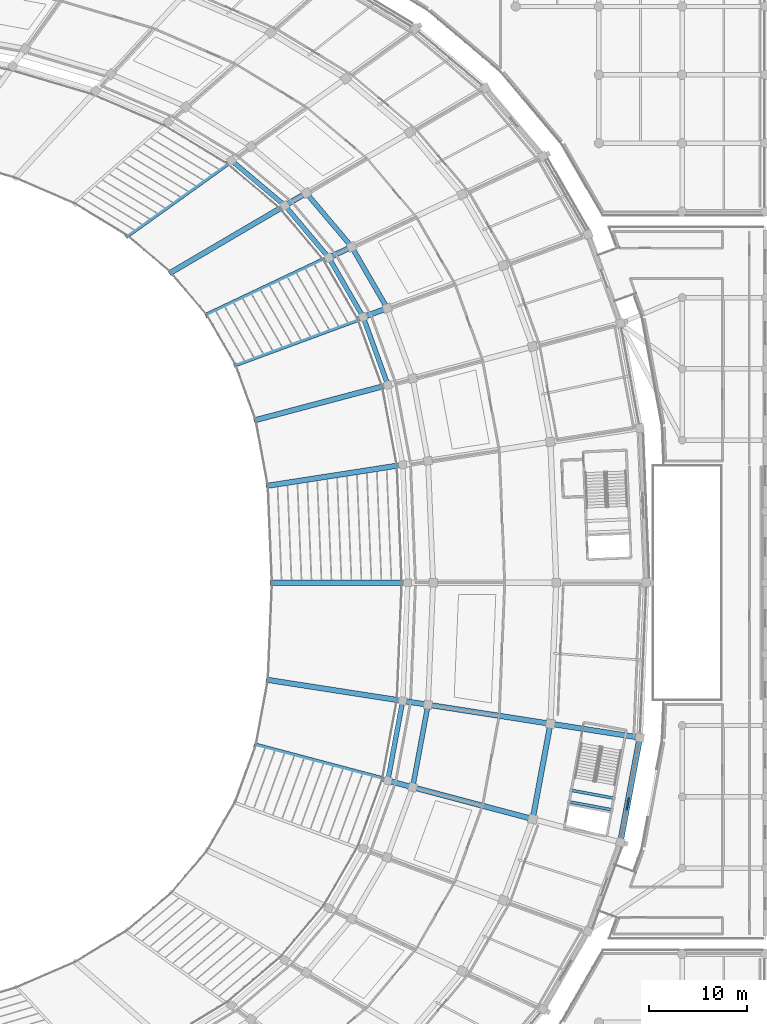
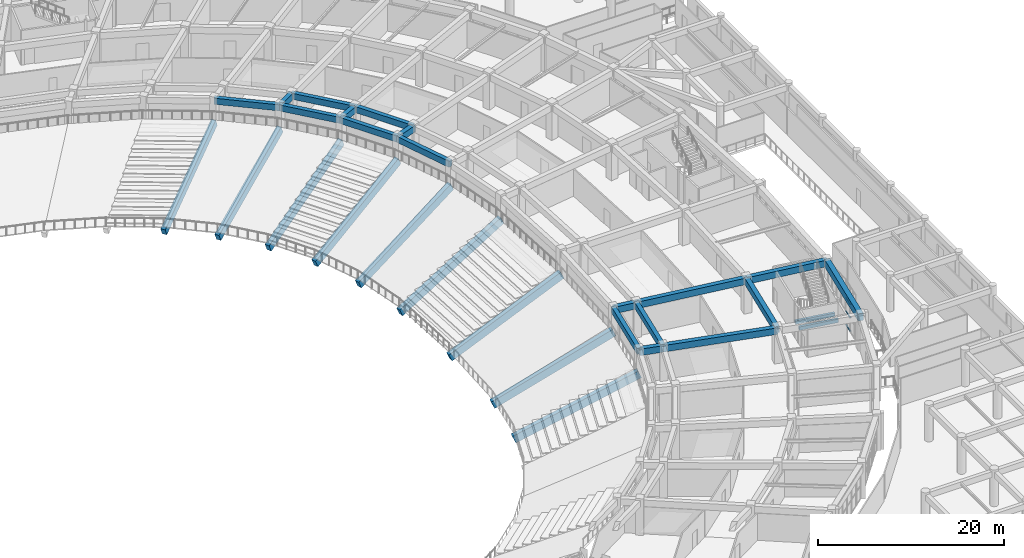
# One storey, part 47 of 152: 29 beams, 3 members, 1 element without a shape of its own.
"""IFC4 building model written with IfcOpenShell, lengths in metres."""

from ifc_helpers import new_model, si_unit, direction, frame, origin, origin_2d, place, context, subcontext, project, spatial, rectangle, extrude, material, layer, layer_set, material_profile, profile_set, type_object, element, aggregate, save


model = new_model("IFC4")

# Units and contexts
model_context = context("Model", 3, precision=1e-05, world=origin(), true_north=direction((0.0, 1.0)))
body_context = subcontext(model_context, "Body", "Model", "MODEL_VIEW")
ifc_project = project(units=[si_unit("LENGTHUNIT", "METRE"), si_unit("AREAUNIT", "SQUARE_METRE"), si_unit("VOLUMEUNIT", "CUBIC_METRE"), si_unit("PLANEANGLEUNIT", "RADIAN"), si_unit("MASSUNIT", "GRAM", prefix="KILO")], contexts=[model_context])

# Site, building, storey
site_placement = place(None, origin())
site = spatial("IfcSite", under=ifc_project, at=site_placement, CompositionType="ELEMENT")
building_placement = place(site_placement, origin())
building = spatial("IfcBuilding", under=site, at=building_placement, Name="Mphavela Belvedere Stadium", CompositionType="ELEMENT")
storey_placement = place(building_placement, frame((0.0, 0.0, 5.39990234375)))
storey = spatial("IfcBuildingStorey", under=building, at=storey_placement, Name="L01", CompositionType="ELEMENT", Elevation=5.39990234375)

# Beams
ifc_material_1 = material(Name="Concrete C40/50", Category="concrete")
ifc_material_profile_1 = material_profile(ifc_material_1, rectangle(XDim=0.60009765625, YDim=0.949951171875, at=origin_2d()), Name="RC 600x950")
ifc_profile_set_1 = profile_set([ifc_material_profile_1], Name="Concrete C40/50")
beam_type_1 = type_object("IfcBeamType", Name="BM-ENTABLATURE-950", PredefinedType="SPANDREL", material=ifc_profile_set_1)
beam_1_placement = place(storey_placement, frame((215.16455078125, 60.4375, 4.0751953125), z_axis=(0.18264260648, 0.983179372393, 0.0), x_axis=(-0.983179372393, 0.18264260648, 0.0)))
element("IfcBeam", 1, at=beam_1_placement, inside=storey, type_object=beam_type_1, Name="Circumferential girder L01 R4-47", PredefinedType="SPANDREL", context=body_context, shape_type="SweptSolid", body=[
    extrude(rectangle(XDim=0.60009765625, YDim=0.949951171875, at=origin_2d()), origin(), (0.0, 0.0, 1.0), 10.90087890625),
])
ifc_material_2 = material(Name="Precast concrete C45/55", Category="concrete")
ifc_material_profile_2 = material_profile(ifc_material_2, rectangle(XDim=0.550048828125, YDim=1.0, at=origin_2d()), Name="PC 550x1000")
ifc_profile_set_2 = profile_set([ifc_material_profile_2], Name="Precast concrete C45/55")
beam_type_2 = type_object("IfcBeamType", Name="BM-RAKER-LOWER", PredefinedType="USERDEFINED", material=ifc_profile_set_2)
beam_2_placement = place(storey_placement, frame((179.5048828125, 87.0, -4.75), z_axis=(0.917816312637, 0.0, 0.397005310113), x_axis=(0.0, 1.0, 0.0)))
element("IfcBeam", 2, at=beam_2_placement, inside=storey, type_object=beam_type_2, Name="Lower tier precast raker beam RK-L-01", ObjectType="RAKER BEAM", PredefinedType="USERDEFINED", context=body_context, shape_type="SweptSolid", body=[
    extrude(rectangle(XDim=0.550048828125, YDim=1.0, at=origin_2d()), origin(), (0.0, 0.0, 1.0), 15.113037109375),
])
beam_3_placement = place(storey_placement, frame((179.088134765625, 96.9404296875, -4.75), z_axis=(0.907737180871, 0.140804754034, 0.395205303236), x_axis=(-0.153283098913, 0.988182316978, 0.0)))
element("IfcBeam", 3, at=beam_3_placement, inside=storey, type_object=beam_type_2, Name="Lower tier precast raker beam RK-L-02", ObjectType="RAKER BEAM", PredefinedType="USERDEFINED", context=body_context, shape_type="SweptSolid", body=[
    extrude(rectangle(XDim=0.550048828125, YDim=1.0, at=origin_2d()), origin(), (0.0, 0.0, 1.0), 15.181884765625),
])
beam_4_placement = place(storey_placement, frame((177.839111328125, 103.664306640625, -4.75), z_axis=(0.888238697021, 0.235540206623, 0.394401861277), x_axis=(-0.256317824851, 0.966592557732, 0.0)))
element("IfcBeam", 4, at=beam_4_placement, inside=storey, type_object=beam_type_2, Name="Lower tier precast raker beam RK-L-03", ObjectType="RAKER BEAM", PredefinedType="USERDEFINED", context=body_context, shape_type="SweptSolid", body=[
    extrude(rectangle(XDim=0.550048828125, YDim=1.0, at=origin_2d()), origin(), (0.0, 0.0, 1.0), 15.212890625),
])
beam_5_placement = place(storey_placement, frame((175.763427734375, 109.385498046875, -4.75), z_axis=(0.861755277164, 0.317474379668, 0.395711840276), x_axis=(-0.345691546471, 0.938348205464, 0.0)))
element("IfcBeam", 5, at=beam_5_placement, inside=storey, type_object=beam_type_2, Name="Lower tier precast raker beam RK-L-04", ObjectType="RAKER BEAM", PredefinedType="USERDEFINED", context=body_context, shape_type="SweptSolid", body=[
    extrude(rectangle(XDim=0.550048828125, YDim=1.0, at=origin_2d()), origin(), (0.0, 0.0, 1.0), 15.16259765625),
])
beam_6_placement = place(storey_placement, frame((172.869140625, 114.391357421875, -4.75), z_axis=(0.828590512448, 0.392202760512, 0.399518156443), x_axis=(-0.427830199745, 0.903859126295, 0.0)))
element("IfcBeam", 6, at=beam_6_placement, inside=storey, type_object=beam_type_2, Name="Lower tier precast raker beam RK-L-05", ObjectType="RAKER BEAM", PredefinedType="USERDEFINED", context=body_context, shape_type="SweptSolid", body=[
    extrude(rectangle(XDim=0.550048828125, YDim=1.0, at=origin_2d()), origin(), (0.0, 0.0, 1.0), 15.01806640625),
])
beam_7_placement = place(storey_placement, frame((169.1650390625, 118.77783203125, -4.75), z_axis=(0.788215016964, 0.462441064912, 0.406036141882), x_axis=(-0.506032185793, 0.862514595205, 0.0)))
element("IfcBeam", 7, at=beam_7_placement, inside=storey, type_object=beam_type_2, Name="Lower tier precast raker beam RK-L-06", ObjectType="RAKER BEAM", PredefinedType="USERDEFINED", context=body_context, shape_type="SweptSolid", body=[
    extrude(rectangle(XDim=0.550048828125, YDim=1.0, at=origin_2d()), origin(), (0.0, 0.0, 1.0), 14.777099609375),
])
beam_8_placement = place(storey_placement, frame((164.658935546875, 122.580322265625, -4.75), z_axis=(0.739407193346, 0.529785363915, 0.415456941944), x_axis=(-0.582429509779, 0.812881212809, 0.0)))
element("IfcBeam", 8, at=beam_8_placement, inside=storey, type_object=beam_type_2, Name="Lower tier precast raker beam RK-L-07", ObjectType="RAKER BEAM", PredefinedType="USERDEFINED", context=body_context, shape_type="SweptSolid", body=[
    extrude(rectangle(XDim=0.550048828125, YDim=1.0, at=origin_2d()), origin(), (0.0, 0.0, 1.0), 14.44189453125),
])
beam_9_placement = place(storey_placement, frame((177.839111328125, 70.335693359375, -4.75), z_axis=(0.888238697021, -0.235540206623, 0.394401861277), x_axis=(0.256317824851, 0.966592557732, 0.0)))
element("IfcBeam", 9, at=beam_9_placement, inside=storey, type_object=beam_type_2, Name="Lower tier precast raker beam RK-L-47", ObjectType="RAKER BEAM", PredefinedType="USERDEFINED", context=body_context, shape_type="SweptSolid", body=[
    extrude(rectangle(XDim=0.550048828125, YDim=1.0, at=origin_2d()), origin(), (0.0, 0.0, 1.0), 15.212890625),
])
beam_10_placement = place(storey_placement, frame((179.088134765625, 77.0595703125, -4.75), z_axis=(0.907737180871, -0.140804754034, 0.395205303236), x_axis=(0.153283098913, 0.988182316978, 0.0)))
element("IfcBeam", 10, at=beam_10_placement, inside=storey, type_object=beam_type_2, Name="Lower tier precast raker beam RK-L-48", ObjectType="RAKER BEAM", PredefinedType="USERDEFINED", context=body_context, shape_type="SweptSolid", body=[
    extrude(rectangle(XDim=0.550048828125, YDim=1.0, at=origin_2d()), origin(), (0.0, 0.0, 1.0), 15.181884765625),
])
ifc_material_3 = material(Name="Concrete C40/50", Category="concrete")
ifc_material_profile_3 = material_profile(ifc_material_3, rectangle(XDim=0.300048828125, YDim=0.449951171875, at=origin_2d()), Name="RC 300x450")
ifc_profile_set_3 = profile_set([ifc_material_profile_3], Name="Concrete C40/50")
beam_type_3 = type_object("IfcBeamType", Name="BM-RC300x450", PredefinedType="BEAM", material=ifc_profile_set_3)
for number, where, z_axis, x_axis, name in (
    (11, (210.11376953125, 65.7646484375, 1.97509765625), (0.9831891563, -0.182589931088, 0.0), (0.182589931088, 0.9831891563, 0.0), "Core C12 landing trimmer beam L01-1"),
    (12, (209.894775390625, 64.584716796875, 1.97509765625), (0.983198960132, -0.182537132646, 0.0), (0.182537132646, 0.983198960132, 0.0), "Core C12 landing trimmer beam L01-2"),
):
    element("IfcBeam", number, at=place(storey_placement, frame(where, z_axis=z_axis, x_axis=x_axis)), inside=storey, type_object=beam_type_3, Name=name, PredefinedType="BEAM", context=body_context, shape_type="SweptSolid", body=[
        extrude(rectangle(XDim=0.300048828125, YDim=0.449951171875, at=origin_2d()), origin(), (0.0, 0.0, 1.0), 4.469970703125),
    ])
ifc_material_4 = material(Name="Concrete C40/50", Category="concrete")
ifc_material_profile_4 = material_profile(ifc_material_4, rectangle(XDim=0.5, YDim=0.800048828125, at=origin_2d()), Name="RC 500x800")
ifc_profile_set_4 = profile_set([ifc_material_profile_4], Name="Concrete C40/50")
beam_type_4 = type_object("IfcBeamType", Name="BM-RC500x800", PredefinedType="BEAM", material=ifc_profile_set_4)
beam_11_placement = place(storey_placement, frame((191.351806640625, 107.24755859375, 4.150146484375), z_axis=(-0.341037858277, 0.940049562109, 0.0), x_axis=(-0.940049562109, -0.341037858277, 0.0)))
element("IfcBeam", 13, at=beam_11_placement, inside=storey, type_object=beam_type_4, Name="Circumferential girder L01 R1-03", PredefinedType="BEAM", context=body_context, shape_type="SweptSolid", body=[
    extrude(rectangle(XDim=0.5, YDim=0.800048828125, at=origin_2d()), origin(), (0.0, 0.0, 1.0), 7.39501953125),
])
beam_12_placement = place(storey_placement, frame((188.829833984375, 114.19921875, 4.150146484375), z_axis=(-0.500559513075, 0.86570212768, 0.0), x_axis=(-0.86570212768, -0.500559513075, 0.0)))
element("IfcBeam", 14, at=beam_12_placement, inside=storey, type_object=beam_type_4, Name="Circumferential girder L01 R1-04", PredefinedType="BEAM", context=body_context, shape_type="SweptSolid", body=[
    extrude(rectangle(XDim=0.5, YDim=0.800048828125, at=origin_2d()), origin(), (0.0, 0.0, 1.0), 7.02587890625),
])
beam_13_placement = place(storey_placement, frame((191.297119140625, 115.108154296875, 4.150146484375), z_axis=(-0.500568314135, 0.86569703874, 0.0), x_axis=(-0.86569703874, -0.500568314135, 0.0)))
element("IfcBeam", 15, at=beam_13_placement, inside=storey, type_object=beam_type_4, Name="Circumferential girder L01 R2-04", PredefinedType="BEAM", context=body_context, shape_type="SweptSolid", body=[
    extrude(rectangle(XDim=0.5, YDim=0.800048828125, at=origin_2d()), origin(), (0.0, 0.0, 1.0), 7.2607421875),
])
beam_14_placement = place(storey_placement, frame((185.31298828125, 120.281494140625, 4.150146484375), z_axis=(-0.645159025586, 0.764048317651, 0.0), x_axis=(-0.764048317651, -0.645159025586, 0.0)))
element("IfcBeam", 16, at=beam_14_placement, inside=storey, type_object=beam_type_4, Name="Circumferential girder L01 R1-05", PredefinedType="BEAM", context=body_context, shape_type="SweptSolid", body=[
    extrude(rectangle(XDim=0.5, YDim=0.800048828125, at=origin_2d()), origin(), (0.0, 0.0, 1.0), 6.975830078125),
])
beam_15_placement = place(storey_placement, frame((187.66259765625, 121.393798828125, 4.150146484375), z_axis=(-0.645167637984, 0.764041045297, 0.0), x_axis=(-0.764041045297, -0.645167637984, 0.0)))
element("IfcBeam", 17, at=beam_15_placement, inside=storey, type_object=beam_type_4, Name="Circumferential girder L01 R2-05", PredefinedType="BEAM", context=body_context, shape_type="SweptSolid", body=[
    extrude(rectangle(XDim=0.5, YDim=0.800048828125, at=origin_2d()), origin(), (0.0, 0.0, 1.0), 7.208740234375),
])
beam_16_placement = place(storey_placement, frame((180.8125, 125.611328125, 4.150146484375), z_axis=(-0.76425683958, 0.644911996442, 0.0), x_axis=(-0.644911996442, -0.76425683958, 0.0)))
element("IfcBeam", 18, at=beam_16_placement, inside=storey, type_object=beam_type_4, Name="Circumferential girder L01 R1-06", PredefinedType="BEAM", context=body_context, shape_type="SweptSolid", body=[
    extrude(rectangle(XDim=0.5, YDim=0.800048828125, at=origin_2d()), origin(), (0.0, 0.0, 1.0), 7.1640625),
])
beam_17_placement = place(storey_placement, frame((191.351806640625, 66.75244140625, 4.150146484375), z_axis=(0.182638448973, 0.983180144712, 0.0), x_axis=(-0.983180144712, 0.182638448973, 0.0)))
element("IfcBeam", 19, at=beam_17_placement, inside=storey, type_object=beam_type_4, Name="Circumferential girder L01 R1-47", PredefinedType="BEAM", context=body_context, shape_type="SweptSolid", body=[
    extrude(rectangle(XDim=0.5, YDim=0.800048828125, at=origin_2d()), origin(), (0.0, 0.0, 1.0), 8.30908203125),
])
beam_18_placement = place(storey_placement, frame((193.9033203125, 66.07568359375, 4.150146484375), z_axis=(0.182614573179, 0.983184579651, 0.0), x_axis=(-0.983184579651, 0.182614573179, 0.0)))
element("IfcBeam", 20, at=beam_18_placement, inside=storey, type_object=beam_type_4, Name="Circumferential girder L01 R2-47", PredefinedType="BEAM", context=body_context, shape_type="SweptSolid", body=[
    extrude(rectangle(XDim=0.5, YDim=0.800048828125, at=origin_2d()), origin(), (0.0, 0.0, 1.0), 8.5869140625),
])
ifc_material_5 = material(Name="Concrete C40/50", Category="concrete")
ifc_material_profile_5 = material_profile(ifc_material_5, rectangle(XDim=0.550048828125, YDim=0.85009765625, at=origin_2d()), Name="RC 550x850")
ifc_profile_set_5 = profile_set([ifc_material_profile_5], Name="Concrete C40/50")
beam_type_5 = type_object("IfcBeamType", Name="BM-RC550x850", PredefinedType="BEAM", material=ifc_profile_set_5)
beam_19_placement = place(storey_placement, frame((188.829833984375, 114.19921875, 4.125), z_axis=(0.938351042866, 0.345683844507, 0.0), x_axis=(-0.345683844507, 0.938351042866, 0.0)))
element("IfcBeam", 21, at=beam_19_placement, inside=storey, type_object=beam_type_5, Name="Radial concourse girder L01 R1R2-04", PredefinedType="BEAM", context=body_context, shape_type="SweptSolid", body=[
    extrude(rectangle(XDim=0.550048828125, YDim=0.85009765625, at=origin_2d()), origin(), (0.0, 0.0, 1.0), 2.62939453125),
])
beam_20_placement = place(storey_placement, frame((185.31298828125, 120.281494140625, 4.125), z_axis=(0.903837253846, 0.427876405707, 0.0), x_axis=(-0.427876405707, 0.903837253846, 0.0)))
element("IfcBeam", 22, at=beam_20_placement, inside=storey, type_object=beam_type_5, Name="Radial concourse girder L01 R1R2-05", PredefinedType="BEAM", context=body_context, shape_type="SweptSolid", body=[
    extrude(rectangle(XDim=0.550048828125, YDim=0.85009765625, at=origin_2d()), origin(), (0.0, 0.0, 1.0), 2.599609375),
])
beam_21_placement = place(storey_placement, frame((180.8125, 125.611328125, 4.125), z_axis=(0.862512089915, 0.50603645595, 0.0), x_axis=(-0.50603645595, 0.862512089915, 0.0)))
element("IfcBeam", 23, at=beam_21_placement, inside=storey, type_object=beam_type_5, Name="Radial concourse girder L01 R1R2-06", PredefinedType="BEAM", context=body_context, shape_type="SweptSolid", body=[
    extrude(rectangle(XDim=0.550048828125, YDim=0.85009765625, at=origin_2d()), origin(), (0.0, 0.0, 1.0), 2.5498046875),
])
beam_22_placement = place(storey_placement, frame((206.1875, 62.818115234375, 4.125), z_axis=(0.182638056683, 0.983180217585, 0.0), x_axis=(-0.983180217585, 0.182638056683, 0.0)))
element("IfcBeam", 24, at=beam_22_placement, inside=storey, type_object=beam_type_5, Name="Circumferential girder L01 R3-47", PredefinedType="BEAM", context=body_context, shape_type="SweptSolid", body=[
    extrude(rectangle(XDim=0.550048828125, YDim=0.85009765625, at=origin_2d()), origin(), (0.0, 0.0, 1.0), 9.924072265625),
])
beam_23_placement = place(storey_placement, frame((191.351806640625, 66.75244140625, 4.125), z_axis=(0.966577929986, -0.25637298076, 0.0), x_axis=(0.25637298076, 0.966577929986, 0.0)))
element("IfcBeam", 25, at=beam_23_placement, inside=storey, type_object=beam_type_5, Name="Radial concourse girder L01 R1R2-47", PredefinedType="BEAM", context=body_context, shape_type="SweptSolid", body=[
    extrude(rectangle(XDim=0.550048828125, YDim=0.85009765625, at=origin_2d()), origin(), (0.0, 0.0, 1.0), 2.6396484375),
])
beam_24_placement = place(storey_placement, frame((193.9033203125, 66.07568359375, 4.125), z_axis=(0.966590800726, -0.256324450554, 0.0), x_axis=(0.256324450554, 0.966590800726, 0.0)))
element("IfcBeam", 26, at=beam_24_placement, inside=storey, type_object=beam_type_5, Name="Radial concourse girder L01 R2R3-47", PredefinedType="BEAM", context=body_context, shape_type="SweptSolid", body=[
    extrude(rectangle(XDim=0.550048828125, YDim=0.85009765625, at=origin_2d()), origin(), (0.0, 0.0, 1.0), 12.708740234375),
])
beam_25_placement = place(storey_placement, frame((192.869384765625, 74.921875, 4.125), z_axis=(0.988185527241, -0.153262401626, 0.0), x_axis=(0.153262401626, 0.988185527241, 0.0)))
element("IfcBeam", 27, at=beam_25_placement, inside=storey, type_object=beam_type_5, Name="Radial concourse girder L01 R1R2-48", PredefinedType="BEAM", context=body_context, shape_type="SweptSolid", body=[
    extrude(rectangle(XDim=0.550048828125, YDim=0.85009765625, at=origin_2d()), origin(), (0.0, 0.0, 1.0), 2.633056640625),
])
beam_26_placement = place(storey_placement, frame((195.471435546875, 74.518310546875, 4.125), z_axis=(0.988185521494, -0.153262438677, 0.0), x_axis=(0.153262438677, 0.988185521494, 0.0)))
element("IfcBeam", 28, at=beam_26_placement, inside=storey, type_object=beam_type_5, Name="Radial concourse girder L01 R2R3-48", PredefinedType="BEAM", context=body_context, shape_type="SweptSolid", body=[
    extrude(rectangle(XDim=0.550048828125, YDim=0.85009765625, at=origin_2d()), origin(), (0.0, 0.0, 1.0), 12.678466796875),
])
beam_27_placement = place(storey_placement, frame((208.0, 72.5751953125, 4.125), z_axis=(0.988182369303, -0.153282761586, 0.0), x_axis=(0.153282761586, 0.988182369303, 0.0)))
element("IfcBeam", 29, at=beam_27_placement, inside=storey, type_object=beam_type_5, Name="Radial concourse girder L01 R3R4-48", PredefinedType="BEAM", context=body_context, shape_type="SweptSolid", body=[
    extrude(rectangle(XDim=0.550048828125, YDim=0.85009765625, at=origin_2d()), origin(), (0.0, 0.0, 1.0), 9.264892578125),
])

# Curtain wall, members
ifc_material_6 = material(Name="Anodised bronze unitised curtain wall framing")
ifc_layer = layer(ifc_material_6, 0.199951171875)
ifc_layer_set = layer_set([ifc_layer], Name="Anodised bronze unitised curtain wall framing")
curtain_wall_type = type_object("IfcCurtainWallType", Name="CW-UNIT-05", PredefinedType="USERDEFINED", material=ifc_layer_set)
curtain_wall_placement = place(storey_placement, origin())
curtain_wall = element("IfcCurtainWall", 30, at=curtain_wall_placement, inside=storey, type_object=curtain_wall_type, Name="Belvedere colonnade curtain wall L01-47", ObjectType="UNITISED CURTAIN WALL", PredefinedType="USERDEFINED")
ifc_material_7 = material(Name="Anodised bronze extruded aluminium", Category="aluminium")
ifc_material_profile_6 = material_profile(ifc_material_7, rectangle(XDim=0.139892578125, YDim=0.06005859375, at=origin_2d()), Name="CW-TRN 140x60")
ifc_profile_set_6 = profile_set([ifc_material_profile_6], Name="Anodised bronze extruded aluminium")
member_type = type_object("IfcMemberType", Name="CWT-140x60", PredefinedType="USERDEFINED", material=ifc_profile_set_6)
member_1_placement = place(storey_placement, frame((215.7724609375, 63.7099609375, 0.030029296875), z_axis=(0.182675789722, 0.983173207451, 0.0), x_axis=(-0.983173207451, 0.182675789722, 0.0)))
member_1 = element("IfcMember", 31, at=member_1_placement, type_object=member_type, Name="CW-05 transom 3.1", ObjectType="TRANSOM", PredefinedType="USERDEFINED", context=body_context, shape_type="SweptSolid", body=[
    extrude(rectangle(XDim=0.139892578125, YDim=0.06005859375, at=origin_2d()), origin(), (0.0, 0.0, 1.0), 1.371337890625),
])
member_2_placement = place(storey_placement, frame((215.7724609375, 63.7099609375, 1.78515625), z_axis=(0.182675789722, 0.983173207451, 0.0), x_axis=(-0.983173207451, 0.182675789722, 0.0)))
member_2 = element("IfcMember", 32, at=member_2_placement, type_object=member_type, Name="CW-05 transom 3.2", ObjectType="TRANSOM", PredefinedType="USERDEFINED", context=body_context, shape_type="SweptSolid", body=[
    extrude(rectangle(XDim=0.139892578125, YDim=0.06005859375, at=origin_2d()), origin(), (0.0, 0.0, 1.0), 1.371337890625),
])
member_3_placement = place(storey_placement, frame((215.7724609375, 63.7099609375, 3.5400390625), z_axis=(0.182675789722, 0.983173207451, 0.0), x_axis=(-0.983173207451, 0.182675789722, 0.0)))
member_3 = element("IfcMember", 33, at=member_3_placement, type_object=member_type, Name="CW-05 transom 3.3", ObjectType="TRANSOM", PredefinedType="USERDEFINED", context=body_context, shape_type="SweptSolid", body=[
    extrude(rectangle(XDim=0.139892578125, YDim=0.06005859375, at=origin_2d()), origin(), (0.0, 0.0, 1.0), 1.371337890625),
])
aggregate(curtain_wall, [member_1, member_2, member_3])

save(model, "model.ifc")
